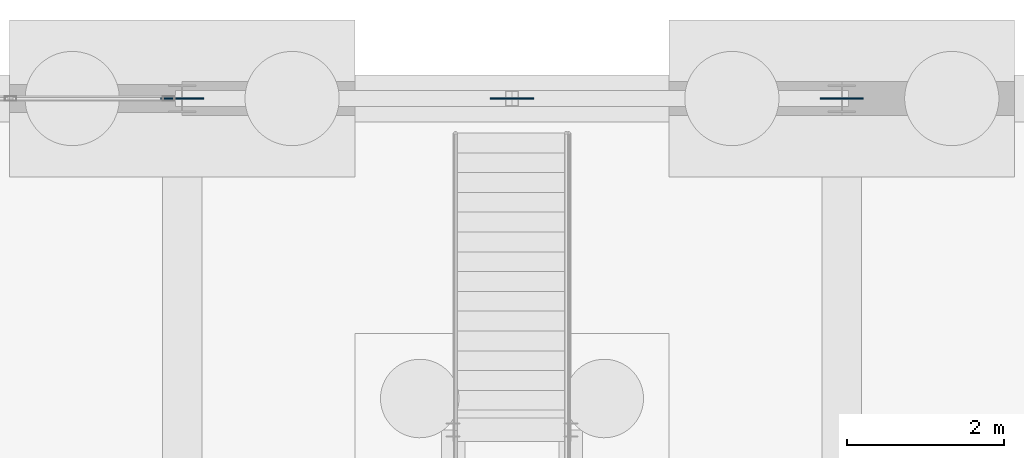
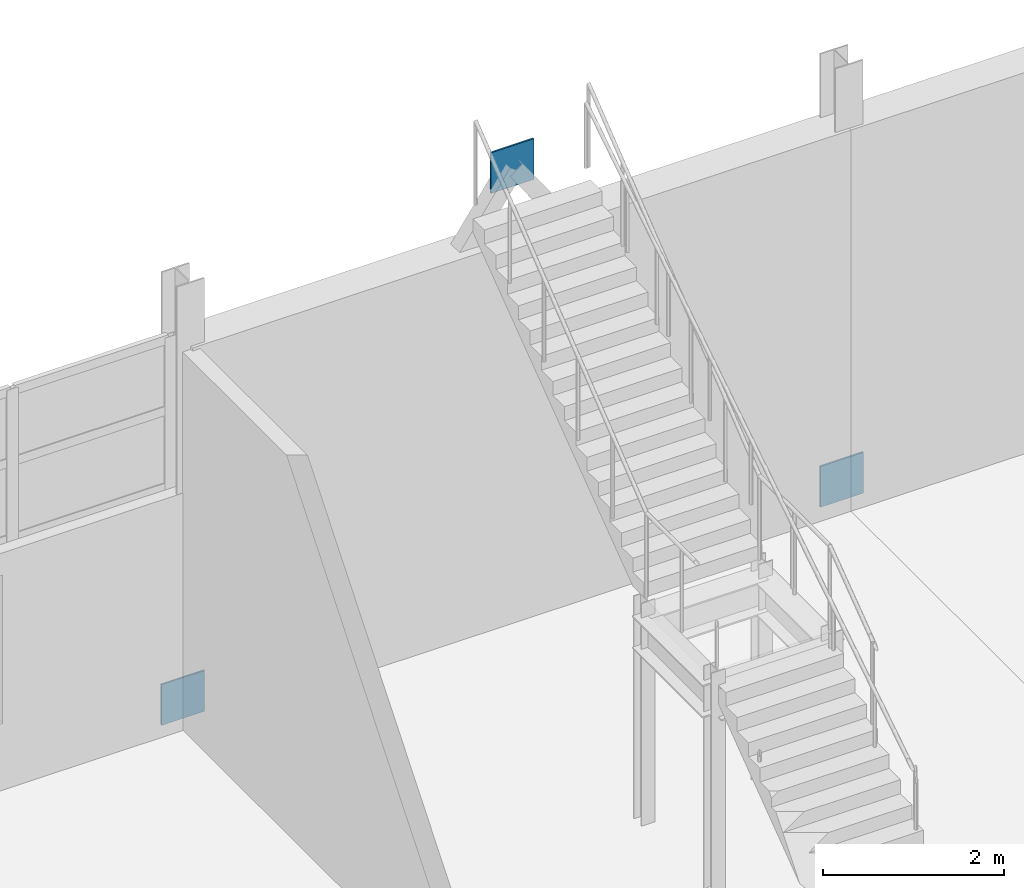
# One storey, part 116 of 139: 3 plates.
"""IFC4 building model written with IfcOpenShell, lengths in metres."""

from ifc_helpers import new_model, si_unit, direction, frame, origin, origin_2d, place, context, subcontext, project, spatial, rectangle, extrude, material, layer, layer_set, type_object, element, save


model = new_model("IFC4")

# Units and contexts
model_context = context("Model", 3, precision=1e-05, world=origin(), true_north=direction((0.0, 1.0)))
body_context = subcontext(model_context, "Body", "Model", "MODEL_VIEW")
ifc_project = project(units=[si_unit("LENGTHUNIT", "METRE"), si_unit("AREAUNIT", "SQUARE_METRE"), si_unit("VOLUMEUNIT", "CUBIC_METRE"), si_unit("PLANEANGLEUNIT", "RADIAN"), si_unit("MASSUNIT", "GRAM", prefix="KILO")], contexts=[model_context])

# Site, building, storey
site_placement = place(None, origin())
site = spatial("IfcSite", under=ifc_project, at=site_placement, CompositionType="ELEMENT")
building_placement = place(site_placement, origin())
building = spatial("IfcBuilding", under=site, at=building_placement, Name="Kazenagashi Tramway Depot", CompositionType="ELEMENT")
storey_placement = place(building_placement, origin())
storey = spatial("IfcBuildingStorey", under=building, at=storey_placement, Name="L01", CompositionType="ELEMENT", Elevation=0.0)

# Plates
ifc_material = material(Name="Steel SN490B", Category="steel")
ifc_layer = layer(ifc_material, 0.022)
ifc_layer_set = layer_set([ifc_layer], Name="Steel SN490B")
plate_type = type_object("IfcPlateType", Name="GP-01", PredefinedType="USERDEFINED", material=ifc_layer_set)
for number, where, z_axis, x_axis, name in (
    (1, (53.2, 130.0, 0.025), (0.0, 0.0, 1.0), (1.0, 0.0, 0.0), "Structural Node Plate GP-01 PLT-0153"),
    (2, (57.4, 130.0, 5.725), (0.0, 0.0, 1.0), (1.0, 0.0, 0.0), "Structural Node Plate GP-01 PLT-0154"),
    (3, (61.6, 130.0, 0.025), (0.0, 0.0, 1.0), (1.0, 0.0, 0.0), "Structural Node Plate GP-01 PLT-0155"),
):
    element("IfcPlate", number, at=place(storey_placement, frame(where, z_axis=z_axis, x_axis=x_axis)), inside=storey, type_object=plate_type, Name=name, ObjectType="GUSSET PLATE", PredefinedType="USERDEFINED", context=body_context, shape_type="SweptSolid", body=[
        extrude(rectangle(XDim=0.55, YDim=0.022, at=origin_2d()), origin(), (0.0, 0.0, 1.0), 0.55),
    ])

save(model, "model.ifc")
